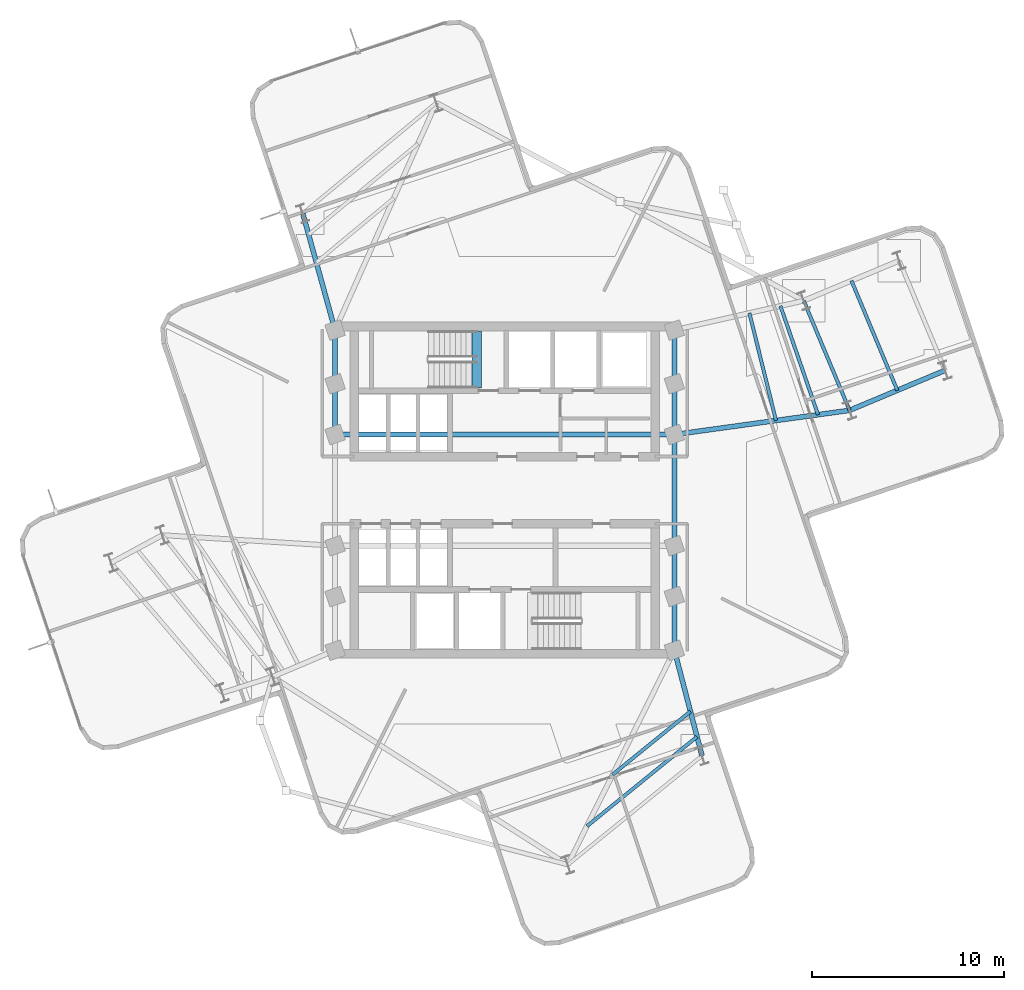
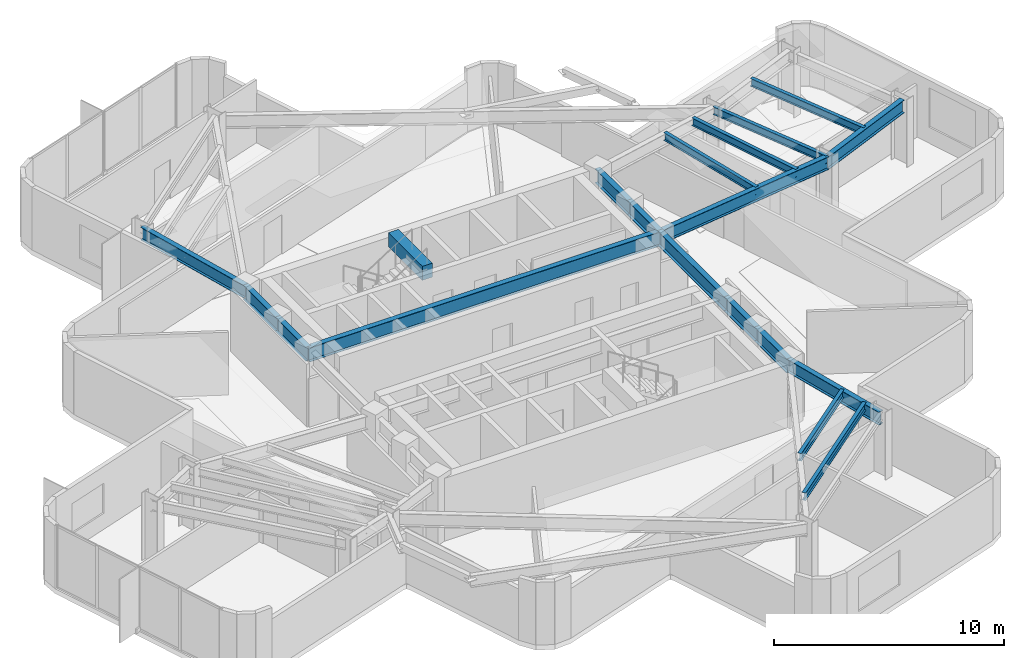
# One storey, part 4 of 12: 19 beams.
"""IFC4 building model written with IfcOpenShell, lengths in metres."""

from ifc_helpers import new_model, si_unit, direction, frame, origin, origin_2d, place, context, subcontext, project, spatial, rectangle, i_section, extrude, material, material_profile, profile_set, type_object, element, save


model = new_model("IFC4")

# Units and contexts
model_context = context("Model", 3, precision=1e-05, world=origin(), true_north=direction((0.0, 1.0)))
body_context = subcontext(model_context, "Body", "Model", "MODEL_VIEW")
ifc_project = project(units=[si_unit("LENGTHUNIT", "METRE"), si_unit("AREAUNIT", "SQUARE_METRE"), si_unit("VOLUMEUNIT", "CUBIC_METRE"), si_unit("PLANEANGLEUNIT", "RADIAN"), si_unit("MASSUNIT", "GRAM", prefix="KILO")], contexts=[model_context])

# Site, building, storey
site_placement = place(None, origin())
site = spatial("IfcSite", under=ifc_project, at=site_placement, CompositionType="ELEMENT")
building_placement = place(site_placement, origin())
building = spatial("IfcBuilding", under=site, at=building_placement, Name="Solmarez Civic Tower", CompositionType="ELEMENT")
storey_placement = place(building_placement, frame((0.0, 0.0, 163.080078125)))
storey = spatial("IfcBuildingStorey", under=building, at=storey_placement, Name="L43", CompositionType="ELEMENT", Elevation=163.080078125)

# Beams
ifc_material_1 = material(Name="Steel S355", Category="steel")
ifc_material_profile_1 = material_profile(ifc_material_1, i_section(OverallWidth=0.178955078125, OverallDepth=0.409912109375, WebThickness=0.0087890625, FlangeThickness=0.014404296875, at=origin_2d()), Name="W16X45")
ifc_profile_set_1 = profile_set([ifc_material_profile_1], Name="Steel S355")
beam_type_1 = type_object("IfcBeamType", Name="BM-JS-W16X45", PredefinedType="JOIST", material=ifc_profile_set_1)
beam_1_placement = place(storey_placement, frame((17.987060546875, 4.1640625, 3.135009765625), z_axis=(-0.386010282684, 0.922494477849, 0.0), x_axis=(-0.922494477849, -0.386010282684, 0.0)))
element("IfcBeam", 1, at=beam_1_placement, inside=storey, type_object=beam_type_1, Name="L43 Secondary Floor Joist BM-L43-EA-T1", PredefinedType="JOIST", context=body_context, shape_type="SweptSolid", body=[
    extrude(i_section(OverallWidth=0.178955078125, OverallDepth=0.409912109375, WebThickness=0.0087890625, FlangeThickness=0.014404296875, at=origin_2d()), origin(), (0.0, 0.0, 1.0), 6.199462890625),
])
beam_2_placement = place(storey_placement, frame((20.47705078125, 5.2060546875, 3.135009765625), z_axis=(-0.385876218946, 0.922550564279, 0.0), x_axis=(-0.922550564279, -0.385876218946, 0.0)))
element("IfcBeam", 2, at=beam_2_placement, inside=storey, type_object=beam_type_1, Name="L43 Secondary Floor Joist JS-L43-EA-M2", PredefinedType="JOIST", context=body_context, shape_type="SweptSolid", body=[
    extrude(i_section(OverallWidth=0.178955078125, OverallDepth=0.409912109375, WebThickness=0.0087890625, FlangeThickness=0.014404296875, at=origin_2d()), origin(), (0.0, 0.0, 1.0), 6.19921875),
])
beam_3_placement = place(storey_placement, frame((14.14892578125, 3.633056640625, 3.135009765625), z_axis=(-0.240167471374, 0.970731469405, 0.0), x_axis=(-0.970731469405, -0.240167471374, 0.0)))
element("IfcBeam", 3, at=beam_3_placement, inside=storey, type_object=beam_type_1, Name="L43 Secondary Floor Joist JS-L43-EA-M11", PredefinedType="JOIST", context=body_context, shape_type="SweptSolid", body=[
    extrude(i_section(OverallWidth=0.178955078125, OverallDepth=0.409912109375, WebThickness=0.0087890625, FlangeThickness=0.014404296875, at=origin_2d()), origin(), (0.0, 0.0, 1.0), 5.77490234375),
])
beam_4_placement = place(storey_placement, frame((16.342041015625, 3.93603515625, 3.135009765625), z_axis=(-0.326984797789, 0.945029598486, 0.0), x_axis=(-0.945029598486, -0.326984797789, 0.0)))
element("IfcBeam", 4, at=beam_4_placement, inside=storey, type_object=beam_type_1, Name="L43 Secondary Floor Joist JS-L43-EA-M12", PredefinedType="JOIST", context=body_context, shape_type="SweptSolid", body=[
    extrude(i_section(OverallWidth=0.178955078125, OverallDepth=0.409912109375, WebThickness=0.0087890625, FlangeThickness=0.014404296875, at=origin_2d()), origin(), (0.0, 0.0, 1.0), 6.000732421875),
])
beam_5_placement = place(storey_placement, frame((5.625, -14.837890625, 3.135009765625), z_axis=(0.776202509922, 0.630483674325, 0.0), x_axis=(-0.630483674325, 0.776202509922, 0.0)))
element("IfcBeam", 5, at=beam_5_placement, inside=storey, type_object=beam_type_1, Name="L43 Secondary Floor Joist JS-L43-SA-M11", PredefinedType="JOIST", context=body_context, shape_type="SweptSolid", body=[
    extrude(i_section(OverallWidth=0.178955078125, OverallDepth=0.409912109375, WebThickness=0.0087890625, FlangeThickness=0.014404296875, at=origin_2d()), origin(), (0.0, 0.0, 1.0), 5.230712890625),
])
beam_6_placement = place(storey_placement, frame((4.291015625, -17.52294921875, 3.135009765625), z_axis=(0.776173575786, 0.630519294115, 0.0), x_axis=(-0.630519294115, 0.776173575786, 0.0)))
element("IfcBeam", 6, at=beam_6_placement, inside=storey, type_object=beam_type_1, Name="L43 Secondary Floor Joist JS-L43-SA-M12", PredefinedType="JOIST", context=body_context, shape_type="SweptSolid", body=[
    extrude(i_section(OverallWidth=0.178955078125, OverallDepth=0.409912109375, WebThickness=0.0087890625, FlangeThickness=0.014404296875, at=origin_2d()), origin(), (0.0, 0.0, 1.0), 7.395263671875),
])
ifc_material_2 = material(Name="Concrete C50/60", Category="concrete")
ifc_material_profile_2 = material_profile(ifc_material_2, rectangle(XDim=0.5, YDim=0.75, at=origin_2d()), Name="RC500X750")
ifc_profile_set_2 = profile_set([ifc_material_profile_2], Name="Concrete C50/60")
beam_type_2 = type_object("IfcBeamType", Name="BM-PR-RC500X750", PredefinedType="BEAM", material=ifc_profile_set_2)
beam_7_placement = place(storey_placement, frame((-1.449951171875, 5.340087890625, 3.23291015625), z_axis=(0.0, 1.0, 0.0), x_axis=(-1.0, 0.0, 0.0)))
element("IfcBeam", 7, at=beam_7_placement, inside=storey, type_object=beam_type_2, Name="L43 North Stair Threshold Beam", PredefinedType="BEAM", context=body_context, shape_type="SweptSolid", body=[
    extrude(rectangle(XDim=0.5, YDim=0.75, at=origin_2d()), origin(), (0.0, 0.0, 1.0), 2.9599609375),
])
ifc_material_profile_3 = material_profile(ifc_material_1, i_section(OverallWidth=0.25390625, OverallDepth=0.68798828125, WebThickness=0.01318359375, FlangeThickness=0.02099609375, at=origin_2d()), Name="W27X102")
ifc_profile_set_3 = profile_set([ifc_material_profile_3], Name="Steel S355")
beam_type_3 = type_object("IfcBeamType", Name="BM-PR-W27X102", PredefinedType="BEAM", material=ifc_profile_set_3)
beam_8_placement = place(storey_placement, frame((8.85009765625, 2.89990234375, 2.995849609375), z_axis=(0.990563968355, 0.137051175101, 0.0), x_axis=(-0.137051175101, 0.990563968355, 0.0)))
element("IfcBeam", 8, at=beam_8_placement, inside=storey, type_object=beam_type_3, Name="L43 Primary Floor Beam BM-L43-EA-R1A", PredefinedType="BEAM", context=body_context, shape_type="SweptSolid", body=[
    extrude(i_section(OverallWidth=0.25390625, OverallDepth=0.68798828125, WebThickness=0.01318359375, FlangeThickness=0.02099609375, at=origin_2d()), origin(), (0.0, 0.0, 1.0), 9.22412109375),
])
beam_9_placement = place(storey_placement, frame((17.987060546875, 4.1640625, 2.995849609375), z_axis=(0.922511388683, 0.385969866376, 0.0), x_axis=(-0.385969866376, 0.922511388683, 0.0)))
element("IfcBeam", 9, at=beam_9_placement, inside=storey, type_object=beam_type_3, Name="L43 Primary Floor Beam BM-L43-EA-R2A", PredefinedType="BEAM", context=body_context, shape_type="SweptSolid", body=[
    extrude(i_section(OverallWidth=0.25390625, OverallDepth=0.68798828125, WebThickness=0.01318359375, FlangeThickness=0.02099609375, at=origin_2d()), origin(), (0.0, 0.0, 1.0), 5.3994140625),
])
beam_10_placement = place(storey_placement, frame((-8.85009765625, 8.35009765625, 2.995849609375), z_axis=(-0.266634219494, 0.963797796737, 0.0), x_axis=(-0.963797796737, -0.266634219494, 0.0)))
element("IfcBeam", 10, at=beam_10_placement, inside=storey, type_object=beam_type_3, Name="L43 Primary Floor Beam BM-L43-NA-R1B", PredefinedType="BEAM", context=body_context, shape_type="SweptSolid", body=[
    extrude(i_section(OverallWidth=0.25390625, OverallDepth=0.68798828125, WebThickness=0.01318359375, FlangeThickness=0.02099609375, at=origin_2d()), origin(), (0.0, 0.0, 1.0), 6.3115234375),
])
beam_11_placement = place(storey_placement, frame((8.85009765625, -8.35009765625, 2.995849609375), z_axis=(0.253271365575, -0.967395273598, 0.0), x_axis=(0.967395273598, 0.253271365575, 0.0)))
element("IfcBeam", 11, at=beam_11_placement, inside=storey, type_object=beam_type_3, Name="L43 Primary Floor Beam BM-L43-SA-R1B", PredefinedType="BEAM", context=body_context, shape_type="SweptSolid", body=[
    extrude(i_section(OverallWidth=0.25390625, OverallDepth=0.68798828125, WebThickness=0.01318359375, FlangeThickness=0.02099609375, at=origin_2d()), origin(), (0.0, 0.0, 1.0), 5.685302734375),
])
ifc_material_profile_4 = material_profile(ifc_material_1, i_section(OverallWidth=0.26708984375, OverallDepth=0.761962890625, WebThickness=0.014404296875, FlangeThickness=0.021484375, at=origin_2d()), Name="W30X116")
ifc_profile_set_4 = profile_set([ifc_material_profile_4], Name="Steel S355")
beam_type_4 = type_object("IfcBeamType", Name="BM-PR-W30X116", PredefinedType="BEAM", material=ifc_profile_set_4)
beam_12_placement = place(storey_placement, frame((-8.85009765625, 2.89990234375, 2.958984375), z_axis=(0.0, 1.0, 0.0), x_axis=(-1.0, 0.0, 0.0)))
element("IfcBeam", 12, at=beam_12_placement, inside=storey, type_object=beam_type_4, Name="L43 Primary Floor Beam BM-L43-HC3-HC4", PredefinedType="BEAM", context=body_context, shape_type="SweptSolid", body=[
    extrude(i_section(OverallWidth=0.26708984375, OverallDepth=0.761962890625, WebThickness=0.014404296875, FlangeThickness=0.021484375, at=origin_2d()), origin(), (0.0, 0.0, 1.0), 2.650146484375),
])
for number, where, z_axis, x_axis, name in (
    (13, (-8.85009765625, 5.550048828125, 2.958984375), (0.0, 1.0, 0.0), (-1.0, 0.0, 0.0), "L43 Primary Floor Beam BM-L43-HC4-HC9"),
    (14, (8.85009765625, -8.35009765625, 2.958984375), (0.0, 1.0, 0.0), (-1.0, 0.0, 0.0), "L43 Primary Floor Beam BM-L43-HC10-HC5"),
):
    element("IfcBeam", number, at=place(storey_placement, frame(where, z_axis=z_axis, x_axis=x_axis)), inside=storey, type_object=beam_type_4, Name=name, PredefinedType="BEAM", context=body_context, shape_type="SweptSolid", body=[
        extrude(i_section(OverallWidth=0.26708984375, OverallDepth=0.761962890625, WebThickness=0.014404296875, FlangeThickness=0.021484375, at=origin_2d()), origin(), (0.0, 0.0, 1.0), 2.800048828125),
    ])
beam_13_placement = place(storey_placement, frame((8.85009765625, -5.550048828125, 2.958984375), z_axis=(0.0, 1.0, 0.0), x_axis=(-1.0, 0.0, 0.0)))
element("IfcBeam", 15, at=beam_13_placement, inside=storey, type_object=beam_type_4, Name="L43 Primary Floor Beam BM-L43-HC5-HC6", PredefinedType="BEAM", context=body_context, shape_type="SweptSolid", body=[
    extrude(i_section(OverallWidth=0.26708984375, OverallDepth=0.761962890625, WebThickness=0.014404296875, FlangeThickness=0.021484375, at=origin_2d()), origin(), (0.0, 0.0, 1.0), 2.650146484375),
])
beam_14_placement = place(storey_placement, frame((8.85009765625, -2.89990234375, 2.958984375), z_axis=(0.0, 1.0, 0.0), x_axis=(-1.0, 0.0, 0.0)))
element("IfcBeam", 16, at=beam_14_placement, inside=storey, type_object=beam_type_4, Name="L43 Primary Floor Beam BM-L43-HC6-HC7", PredefinedType="BEAM", context=body_context, shape_type="SweptSolid", body=[
    extrude(i_section(OverallWidth=0.26708984375, OverallDepth=0.761962890625, WebThickness=0.014404296875, FlangeThickness=0.021484375, at=origin_2d()), origin(), (0.0, 0.0, 1.0), 5.7998046875),
])
beam_15_placement = place(storey_placement, frame((8.85009765625, 2.89990234375, 2.958984375), z_axis=(0.0, 1.0, 0.0), x_axis=(-1.0, 0.0, 0.0)))
element("IfcBeam", 17, at=beam_15_placement, inside=storey, type_object=beam_type_4, Name="L43 Primary Floor Beam BM-L43-HC7-HC8", PredefinedType="BEAM", context=body_context, shape_type="SweptSolid", body=[
    extrude(i_section(OverallWidth=0.26708984375, OverallDepth=0.761962890625, WebThickness=0.014404296875, FlangeThickness=0.021484375, at=origin_2d()), origin(), (0.0, 0.0, 1.0), 2.650146484375),
])
beam_16_placement = place(storey_placement, frame((8.85009765625, 5.550048828125, 2.958984375), z_axis=(0.0, 1.0, 0.0), x_axis=(-1.0, 0.0, 0.0)))
element("IfcBeam", 18, at=beam_16_placement, inside=storey, type_object=beam_type_4, Name="L43 Primary Floor Beam BM-L43-HC8-HC11", PredefinedType="BEAM", context=body_context, shape_type="SweptSolid", body=[
    extrude(i_section(OverallWidth=0.26708984375, OverallDepth=0.761962890625, WebThickness=0.014404296875, FlangeThickness=0.021484375, at=origin_2d()), origin(), (0.0, 0.0, 1.0), 2.800048828125),
])
beam_17_placement = place(storey_placement, frame((-8.85009765625, 2.89990234375, 2.958984375), z_axis=(1.0, 0.0, 0.0), x_axis=(0.0, 1.0, 0.0)))
element("IfcBeam", 19, at=beam_17_placement, inside=storey, type_object=beam_type_4, Name="L43 Primary Floor Beam BM-L43-HC3-HC7", PredefinedType="BEAM", context=body_context, shape_type="SweptSolid", body=[
    extrude(i_section(OverallWidth=0.26708984375, OverallDepth=0.761962890625, WebThickness=0.014404296875, FlangeThickness=0.021484375, at=origin_2d()), origin(), (0.0, 0.0, 1.0), 17.7001953125),
])

save(model, "model.ifc")
